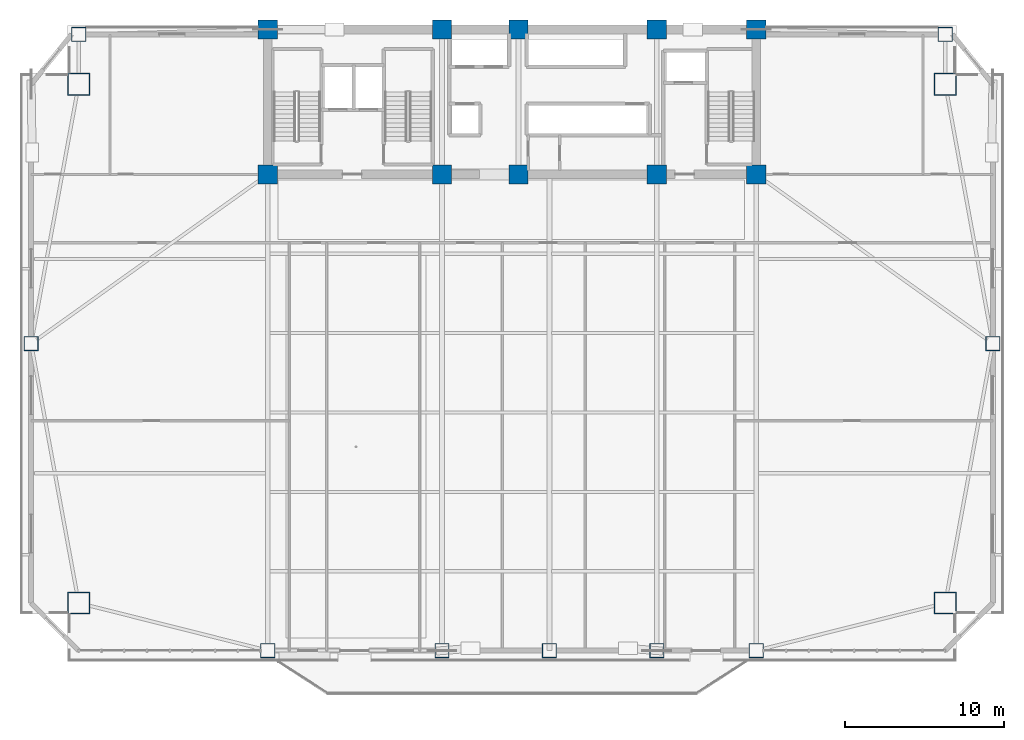
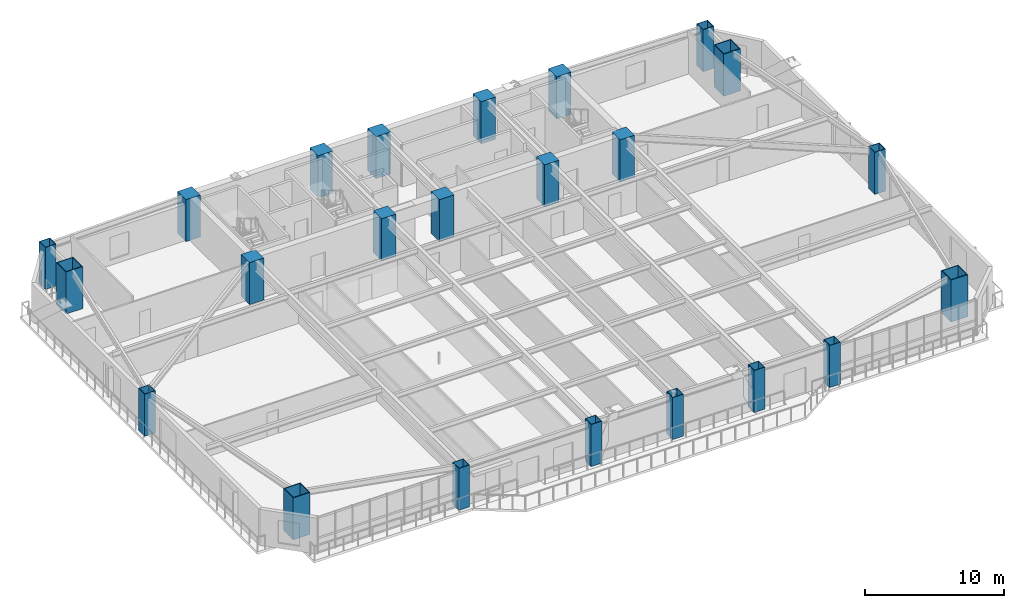
# One storey, part 1 of 15: 23 columns.
"""IFC4 building model written with IfcOpenShell, lengths in metres."""

from ifc_helpers import new_model, si_unit, direction, frame, origin, origin_2d, place, context, subcontext, project, spatial, rectangle, hollow_rectangle, extrude, source, transform, mapped, material, material_profile, profile_set, type_object, element, save


model = new_model("IFC4")

# Units and contexts
model_context = context("Model", 3, precision=1e-05, world=origin(), true_north=direction((0.0, 1.0)))
body_context = subcontext(model_context, "Body", "Model", "MODEL_VIEW")
ifc_project = project(units=[si_unit("LENGTHUNIT", "METRE"), si_unit("AREAUNIT", "SQUARE_METRE"), si_unit("VOLUMEUNIT", "CUBIC_METRE"), si_unit("PLANEANGLEUNIT", "RADIAN"), si_unit("MASSUNIT", "GRAM", prefix="KILO")], contexts=[model_context])

# Site, building, storey
site_placement = place(None, origin())
site = spatial("IfcSite", under=ifc_project, at=site_placement, CompositionType="ELEMENT")
building_placement = place(site_placement, origin())
building = spatial("IfcBuilding", under=site, at=building_placement, Name="Giltprow Tower", CompositionType="ELEMENT")
storey_placement = place(building_placement, frame((0.0, 0.0, 123.10009765625)))
storey = spatial("IfcBuildingStorey", under=building, at=storey_placement, Name="L30", CompositionType="ELEMENT", Elevation=123.10009765625)

# Columns
ifc_material_1 = material(Name="Concrete C60", Category="concrete")
ifc_material_profile_1 = material_profile(ifc_material_1, rectangle(XDim=1.199951171875, YDim=1.199951171875, at=origin_2d()), Name="RC 1200x1200")
ifc_profile_set_1 = profile_set([ifc_material_profile_1], Name="Concrete C60")
column_type_1 = type_object("IfcColumnType", Name="PIL-RC-1200-C60", PredefinedType="PILASTER", material=ifc_profile_set_1)
shared_shape_1 = source(origin(), body_context, "Body", "SweptSolid", [
    extrude(rectangle(XDim=1.199951171875, YDim=1.199951171875, at=origin_2d()), origin(), (0.0, 0.0, 1.0), 3.679931640625),
])
for number, where, z_axis, x_axis, name in (
    (1, (19.85009765625, 37.449951171875, 0.0), (0.0, 0.0, 1.0), (1.0, 0.0, 0.0), "L30 Core Boundary Pilaster 1-1"),
    (2, (19.85009765625, 46.550048828125, 0.0), (0.0, 0.0, 1.0), (1.0, 0.0, 0.0), "L30 Core Boundary Pilaster 1-2"),
    (3, (30.800048828125, 37.449951171875, 0.0), (0.0, 0.0, 1.0), (1.0, 0.0, 0.0), "L30 Core Boundary Pilaster 2-1"),
    (4, (30.800048828125, 46.550048828125, 0.0), (0.0, 0.0, 1.0), (1.0, 0.0, 0.0), "L30 Core Boundary Pilaster 2-2"),
    (5, (35.60009765625, 37.449951171875, 0.0), (0.0, 0.0, 1.0), (1.0, 0.0, 0.0), "L30 Core Boundary Pilaster 3-1"),
    (6, (35.60009765625, 46.550048828125, 0.0), (0.0, 0.0, 1.0), (1.0, 0.0, 0.0), "L30 Core Boundary Pilaster 3-2"),
    (7, (44.300048828125, 37.449951171875, 0.0), (0.0, 0.0, 1.0), (1.0, 0.0, 0.0), "L30 Core Boundary Pilaster 4-1"),
    (8, (44.300048828125, 46.550048828125, 0.0), (0.0, 0.0, 1.0), (1.0, 0.0, 0.0), "L30 Core Boundary Pilaster 4-2"),
    (9, (50.550048828125, 37.449951171875, 0.0), (0.0, 0.0, 1.0), (1.0, 0.0, 0.0), "L30 Core Boundary Pilaster 5-1"),
    (10, (50.550048828125, 46.550048828125, 0.0), (0.0, 0.0, 1.0), (1.0, 0.0, 0.0), "L30 Core Boundary Pilaster 5-2"),
):
    element("IfcColumn", number, at=place(storey_placement, frame(where, z_axis=z_axis, x_axis=x_axis)), inside=storey, type_object=column_type_1, Name=name, PredefinedType="PILASTER", context=body_context, shape_type="MappedRepresentation", body=[
        mapped(shared_shape_1, transform((0.0, 0.0, 0.0), x_axis=(1.0, 0.0, 0.0), y_axis=(0.0, 1.0, 0.0), z_axis=(0.0, 0.0, 1.0), scale=1.0)),
    ])
ifc_material_2 = material(Name="Structural steel Q420GJC", Category="steel")
ifc_material_profile_2 = material_profile(ifc_material_2, hollow_rectangle(XDim=1.39990234375, YDim=1.39990234375, WallThickness=0.06494140625, at=origin_2d()), Name="BOX 1400x1400x65")
ifc_profile_set_2 = profile_set([ifc_material_profile_2], Name="Structural steel Q420GJC")
column_type_2 = type_object("IfcColumnType", Name="COL-BOX-1400x1400x65", PredefinedType="COLUMN", material=ifc_profile_set_2)
shared_shape_2 = source(origin(), body_context, "Body", "SweptSolid", [
    extrude(hollow_rectangle(XDim=1.39990234375, YDim=1.39990234375, WallThickness=0.06494140625, at=origin_2d()), origin(), (0.0, 0.0, 1.0), 3.679931640625),
])
for number, where, z_axis, x_axis, name in (
    (11, (7.969970703125, 10.509033203125, 0.0), (0.0, 0.0, 1.0), (1.0, 0.0, 0.0), "L30 Mega-Column MC_SW"),
    (12, (62.429931640625, 10.509033203125, 0.0), (0.0, 0.0, 1.0), (1.0, 0.0, 0.0), "L30 Mega-Column MC_SE"),
    (13, (7.969970703125, 43.10888671875, 0.0), (0.0, 0.0, 1.0), (1.0, 0.0, 0.0), "L30 Mega-Column MC_NW"),
    (14, (62.429931640625, 43.10888671875, 0.0), (0.0, 0.0, 1.0), (1.0, 0.0, 0.0), "L30 Mega-Column MC_NE"),
):
    element("IfcColumn", number, at=place(storey_placement, frame(where, z_axis=z_axis, x_axis=x_axis)), inside=storey, type_object=column_type_2, Name=name, PredefinedType="COLUMN", context=body_context, shape_type="MappedRepresentation", body=[
        mapped(shared_shape_2, transform((0.0, 0.0, 0.0), x_axis=(1.0, 0.0, 0.0), y_axis=(0.0, 1.0, 0.0), z_axis=(0.0, 0.0, 1.0), scale=1.0)),
    ])
ifc_material_profile_3 = material_profile(ifc_material_2, hollow_rectangle(XDim=0.89990234375, YDim=0.89990234375, WallThickness=0.0400390625, at=origin_2d()), Name="BOX 900x900x40")
ifc_profile_set_3 = profile_set([ifc_material_profile_3], Name="Structural steel Q420GJC")
column_type_3 = type_object("IfcColumnType", Name="COL-BOX-900x900x40", PredefinedType="COLUMN", material=ifc_profile_set_3)
shared_shape_3 = source(origin(), body_context, "Body", "SweptSolid", [
    extrude(hollow_rectangle(XDim=0.89990234375, YDim=0.89990234375, WallThickness=0.0400390625, at=origin_2d()), origin(), (0.0, 0.0, 1.0), 3.679931640625),
])
for number, where, z_axis, x_axis, name in (
    (15, (19.85009765625, 7.51806640625, 0.0), (0.0, 0.0, 1.0), (1.0, 0.0, 0.0), "L30 Perimeter Column S1"),
    (16, (30.800048828125, 7.51806640625, 0.0), (0.0, 0.0, 1.0), (1.0, 0.0, 0.0), "L30 Perimeter Column S2"),
    (17, (37.550048828125, 7.51806640625, 0.0), (0.0, 0.0, 1.0), (1.0, 0.0, 0.0), "L30 Perimeter Column S_MID"),
    (18, (44.300048828125, 7.51806640625, 0.0), (0.0, 0.0, 1.0), (1.0, 0.0, 0.0), "L30 Perimeter Column S3"),
    (19, (50.550048828125, 7.51806640625, 0.0), (0.0, 0.0, 1.0), (1.0, 0.0, 0.0), "L30 Perimeter Column S4"),
    (20, (4.97900390625, 26.80908203125, 0.0), (0.0, 0.0, 1.0), (1.0, 0.0, 0.0), "L30 Perimeter Column W_MID"),
    (21, (65.4208984375, 26.80908203125, 0.0), (0.0, 0.0, 1.0), (1.0, 0.0, 0.0), "L30 Perimeter Column E_MID"),
    (22, (7.969970703125, 46.25, 0.0), (0.0, 0.0, 1.0), (1.0, 0.0, 0.0), "L30 Perimeter Column N_W"),
    (23, (62.429931640625, 46.25, 0.0), (0.0, 0.0, 1.0), (1.0, 0.0, 0.0), "L30 Perimeter Column N_E"),
):
    element("IfcColumn", number, at=place(storey_placement, frame(where, z_axis=z_axis, x_axis=x_axis)), inside=storey, type_object=column_type_3, Name=name, PredefinedType="COLUMN", context=body_context, shape_type="MappedRepresentation", body=[
        mapped(shared_shape_3, transform((0.0, 0.0, 0.0), x_axis=(1.0, 0.0, 0.0), y_axis=(0.0, 1.0, 0.0), z_axis=(0.0, 0.0, 1.0), scale=1.0)),
    ])

save(model, "model.ifc")
